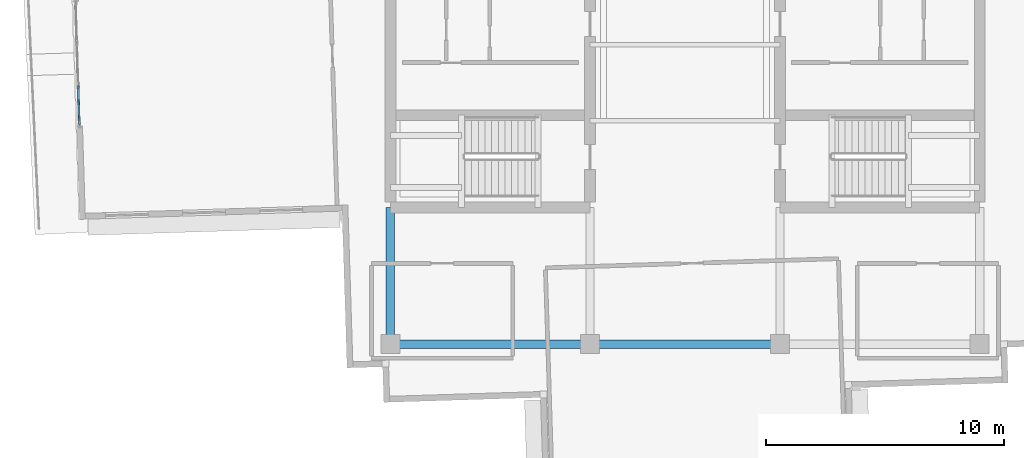
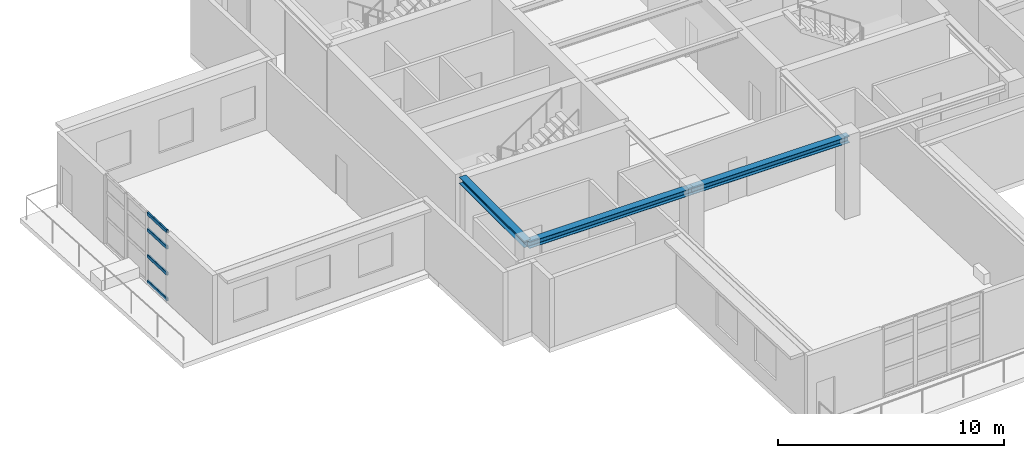
# One storey, part 3 of 18: 4 members, 3 beams, 1 element without a shape of its own.
"""IFC4 building model written with IfcOpenShell, lengths in metres."""

import ifcopenshell
import ifcopenshell.guid

model = None  # the IFC model being written
_history = None  # IfcOwnerHistory: only IFC2X3 demands one
_inside = {}  # id of a spatial element -> (the spatial element, [elements in it])
_under = {}  # id of a project, library or spatial element -> (it, [spatial elements below it])
_declared = {}  # id of a project -> (the project, [libraries it declares])
_typed = {}  # id of a type object -> (the type object, [elements of that type])
_made_of = {}  # id of a material, layer set ... -> (it, [elements and type objects made of it])


def new_model(schema):
    """Start an empty IFC model of exactly this schema.

    Asked for "IFC4X3", IfcOpenShell would pick the latest addendum, in which some entities
    have other attributes; the version numbers below select the first issue.
    IFC2X3 requires an IfcOwnerHistory on every rooted entity: one is made here for all.
    """
    global model, _history
    if schema == "IFC4X3":
        model = ifcopenshell.file(schema_version=(4, 3, 0, 0))
    else:
        model = ifcopenshell.file(schema=schema)
    _inside.clear()
    _under.clear()
    _declared.clear()
    _typed.clear()
    _made_of.clear()
    _history = None
    if model.schema == "IFC2X3":
        org = make("IfcOrganization", Name="unknown")
        user = make(
            "IfcPersonAndOrganization",
            ThePerson=make("IfcPerson", FamilyName="unknown"),
            TheOrganization=org,
        )
        app = make(
            "IfcApplication",
            ApplicationDeveloper=org,
            Version="unknown",
            ApplicationFullName="unknown",
            ApplicationIdentifier="unknown",
        )
        _history = make(
            "IfcOwnerHistory",
            OwningUser=user,
            OwningApplication=app,
            ChangeAction="ADDED",
            CreationDate=0,
        )
    return model


def make(cls, **values):
    """One entity of the class cls with the attributes given. An attribute that is None is left unset."""
    return model.create_entity(
        cls, **{name: value for name, value in values.items() if value is not None}
    )


def rooted(cls, **values):
    """An entity with a GlobalId (a new one), such as an element, a storey or a relation."""
    return make(cls, GlobalId=ifcopenshell.guid.new(), OwnerHistory=_history, **values)


def si_unit(unit_type, name, prefix=None):
    """IfcSIUnit, for example si_unit("LENGTHUNIT", "METRE", prefix="MILLI")."""
    return make("IfcSIUnit", UnitType=unit_type, Prefix=prefix, Name=name)


def assignment(units):
    """IfcUnitAssignment: the units of a project."""
    return None if units is None else make("IfcUnitAssignment", Units=units)


def point(xyz):
    """IfcCartesianPoint."""
    return None if xyz is None else make("IfcCartesianPoint", Coordinates=xyz)


def direction(xyz):
    """IfcDirection."""
    return None if xyz is None else make("IfcDirection", DirectionRatios=xyz)


def frame(location, z_axis=None, x_axis=None):
    """IfcAxis2Placement3D, a coordinate frame: its origin and axes. An axis left out is left unset."""
    return make(
        "IfcAxis2Placement3D",
        Location=point(location),
        Axis=direction(z_axis),
        RefDirection=direction(x_axis),
    )


def frame_2d(location, x_axis=None):
    """IfcAxis2Placement2D, a coordinate frame in the plane: its origin and x axis."""
    return make(
        "IfcAxis2Placement2D", Location=point(location), RefDirection=direction(x_axis)
    )


def origin():
    """The frame at (0, 0, 0) with its axes left unset."""
    return frame((0.0, 0.0, 0.0))


def origin_2d():
    """The frame at (0, 0) in the plane with its x axis left unset."""
    return frame_2d((0.0, 0.0))


def place(relative_to, where):
    """IfcLocalPlacement: puts the frame where relative to a parent placement (None: the world)."""
    return make(
        "IfcLocalPlacement", PlacementRelTo=relative_to, RelativePlacement=where
    )


def context(
    kind, dimensions, precision=None, world=None, true_north=None, identifier=None
):
    """IfcGeometricRepresentationContext, for example the 3D "Model" context."""
    return make(
        "IfcGeometricRepresentationContext",
        ContextIdentifier=identifier,
        ContextType=kind,
        CoordinateSpaceDimension=dimensions,
        Precision=precision,
        WorldCoordinateSystem=world,
        TrueNorth=true_north,
    )


def subcontext(parent, identifier, kind, view, scale=None):
    """IfcGeometricRepresentationSubContext, for example "Body" below "Model"."""
    return make(
        "IfcGeometricRepresentationSubContext",
        ContextIdentifier=identifier,
        ContextType=kind,
        ParentContext=parent,
        TargetScale=scale,
        TargetView=view,
    )


def project(units=None, contexts=None):
    """IfcProject with its units and contexts."""
    return rooted(
        "IfcProject",
        Name="project",
        RepresentationContexts=contexts,
        UnitsInContext=assignment(units),
    )


def spatial(cls, under=None, at=None, **own):
    """A site, building, storey or space (cls), placed at a placement, below another one or the project."""
    s = rooted(cls, ObjectPlacement=at, **own)
    if under is not None:
        _under.setdefault(under.id(), (under, []))[1].append(s)
    return s


def profile(cls, at=None, kind="AREA", **sizes):
    """A parametric profile (cls). Its sizes go by their IFC names, for example OverallWidth=200.0."""
    return make(cls, ProfileType=kind, Position=at, **sizes)


def hollow_rectangle(**sizes):
    """IfcRectangleHollowProfileDef."""
    return profile("IfcRectangleHollowProfileDef", **sizes)


def i_section(**sizes):
    """IfcIShapeProfileDef."""
    return profile("IfcIShapeProfileDef", **sizes)


def extrude(swept, where, along, depth):
    """IfcExtrudedAreaSolid: the profile swept, set in the frame where, extruded along a direction by depth."""
    return make(
        "IfcExtrudedAreaSolid",
        SweptArea=swept,
        Position=where,
        ExtrudedDirection=direction(along),
        Depth=depth,
    )


def shape(context_of_items, identifier, shape_type, items):
    """IfcShapeRepresentation: the items that make up one representation, for example the "Body"."""
    return make(
        "IfcShapeRepresentation",
        ContextOfItems=context_of_items,
        RepresentationIdentifier=identifier,
        RepresentationType=shape_type,
        Items=items,
    )


def material(Name=None, Category=None):
    """IfcMaterial."""
    return make("IfcMaterial", Name=Name, Category=Category)


def layer(
    of_material, thickness, ventilated=None, Name=None, Category=None, Priority=None
):
    """IfcMaterialLayer: one layer of a wall or slab, of a material (None: an air gap)."""
    return make(
        "IfcMaterialLayer",
        Material=of_material,
        LayerThickness=thickness,
        IsVentilated=ventilated,
        Name=Name,
        Category=Category,
        Priority=Priority,
    )


def layer_set(layers, Name=None):
    """IfcMaterialLayerSet."""
    return make("IfcMaterialLayerSet", MaterialLayers=layers, LayerSetName=Name)


def material_profile(
    of_material, cross_section, Name=None, Category=None, Priority=None
):
    """IfcMaterialProfile: a cross section and its material."""
    return make(
        "IfcMaterialProfile",
        Name=Name,
        Material=of_material,
        Profile=cross_section,
        Priority=Priority,
        Category=Category,
    )


def profile_set(profiles, Name=None, composite=None):
    """IfcMaterialProfileSet."""
    return make(
        "IfcMaterialProfileSet",
        Name=Name,
        MaterialProfiles=profiles,
        CompositeProfile=composite,
    )


def made_of(thing, what):
    """Note that an element or type object is made of a material, layer set ...; save() writes the relation."""
    if what is not None:
        _made_of.setdefault(what.id(), (what, []))[1].append(thing)
    return thing


def type_object(cls, material=None, **own):
    """A type object (cls), such as IfcWallType, which elements share."""
    return made_of(rooted(cls, **own), material)


def element(
    cls,
    number,
    at=None,
    inside=None,
    cuts=None,
    type_object=None,
    material=None,
    context=None,
    identifier="Body",
    shape_type=None,
    held_by="IfcProductDefinitionShape",
    body=None,
    shapes=None,
    **own,
):
    """One element of the class cls, such as IfcWall. Its Tag is "e" and its number.

    at: its placement. inside: the storey or other place that contains it. cuts: it is an
    opening in that element (IfcRelVoidsElement). A single representation is given by context,
    identifier, shape_type and body (its items); several are given by shapes. held_by: the class
    of the entity that holds the representations. save() writes the other relations.
    """
    e = rooted(cls, Tag="e%d" % number, ObjectPlacement=at, **own)
    if body is not None:
        shapes = [shape(context, identifier, shape_type, body)]
    if shapes is not None:
        e.Representation = make(held_by, Representations=shapes)
    if inside is not None:
        _inside.setdefault(inside.id(), (inside, []))[1].append(e)
    if cuts is not None:
        rooted(
            "IfcRelVoidsElement", RelatingBuildingElement=cuts, RelatedOpeningElement=e
        )
    if type_object is not None:
        _typed.setdefault(type_object.id(), (type_object, []))[1].append(e)
    return made_of(e, material)


def aggregate(whole, parts):
    """IfcRelAggregates: a whole, such as a stair, and the parts it consists of."""
    return rooted("IfcRelAggregates", RelatingObject=whole, RelatedObjects=parts)


def save(model, path):
    """Write the relations noted so far, then the file.

    IfcRelAggregates (storeys below a building ...), IfcRelContainedInSpatialStructure (elements
    in a storey), IfcRelDefinesByType, IfcRelAssociatesMaterial and IfcRelDeclares: one each for
    every whole, place, type object, material and project.
    """
    for whole, parts in _under.values():
        aggregate(whole, parts)
    for where, things in _inside.values():
        rooted(
            "IfcRelContainedInSpatialStructure",
            RelatedElements=things,
            RelatingStructure=where,
        )
    for kind, things in _typed.values():
        rooted("IfcRelDefinesByType", RelatedObjects=things, RelatingType=kind)
    for what, things in _made_of.values():
        rooted("IfcRelAssociatesMaterial", RelatedObjects=things, RelatingMaterial=what)
    for by, libraries in _declared.values():
        rooted("IfcRelDeclares", RelatingContext=by, RelatedDefinitions=libraries)
    model.write(path)


model = new_model("IFC4")

# Units and contexts
model_context = context("Model", 3, precision=1e-05, world=origin(), true_north=direction((0.0, 1.0)))
body_context = subcontext(model_context, "Body", "Model", "MODEL_VIEW")
ifc_project = project(units=[si_unit("LENGTHUNIT", "METRE"), si_unit("AREAUNIT", "SQUARE_METRE"), si_unit("VOLUMEUNIT", "CUBIC_METRE"), si_unit("PLANEANGLEUNIT", "RADIAN"), si_unit("MASSUNIT", "GRAM", prefix="KILO")], contexts=[model_context])

# Site, building, storey
site_placement = place(None, origin())
site = spatial("IfcSite", under=ifc_project, at=site_placement, CompositionType="ELEMENT")
building_placement = place(site_placement, origin())
building = spatial("IfcBuilding", under=site, at=building_placement, Name="Qingluan Cross Belvedere", CompositionType="ELEMENT")
storey_placement = place(building_placement, frame((0.0, 0.0, 299.39990234375)))
storey = spatial("IfcBuildingStorey", under=building, at=storey_placement, Name="L74", CompositionType="ELEMENT", Elevation=299.39990234375)

# Curtain wall, members
ifc_material_1 = material(Name="Thermally broken aluminium and Low-E glass", Category="aluminium")
ifc_layer = layer(ifc_material_1, 0.179931640625, Name="ObservationCW_DamperGallery")
ifc_layer_set = layer_set([ifc_layer], Name="Thermally broken aluminium and Low-E glass")
curtain_wall_type = type_object("IfcCurtainWallType", Name="ObservationCW_DamperGallery", PredefinedType="USERDEFINED", material=ifc_layer_set)
curtain_wall_placement = place(storey_placement, origin())
curtain_wall = element("IfcCurtainWall", 1, at=curtain_wall_placement, inside=storey, type_object=curtain_wall_type, Name="ObservationCW_DamperGallery run env:cw:L74:W", ObjectType="OBSERVATION GLAZING WALL", PredefinedType="USERDEFINED")
ifc_material_2 = material(Name="Aluminium alloy 6063-T6", Category="aluminium")
ifc_material_profile_1 = material_profile(ifc_material_2, hollow_rectangle(XDim=0.0849609375, YDim=0.179931640625, WallThickness=0.00390625, InnerFilletRadius=0.00390625, OuterFilletRadius=0.008056640625, at=origin_2d()), Name="CWT180x85x4")
ifc_profile_set_1 = profile_set([ifc_material_profile_1], Name="Aluminium alloy 6063-T6")
member_type = type_object("IfcMemberType", Name="CWTransom_180", PredefinedType="USERDEFINED", material=ifc_profile_set_1)
member_1_placement = place(storey_placement, frame((-25.5390625, -1.705810546875, 0.030029296875), z_axis=(0.031414323963, -0.999506448328, 0.0), x_axis=(0.999506448328, 0.031414323963, 0.0)))
member_1 = element("IfcMember", 2, at=member_1_placement, type_object=member_type, Name="CW-C1 transom 3.1", ObjectType="TRANSOM", PredefinedType="USERDEFINED", context=body_context, shape_type="SweptSolid", body=[
    extrude(hollow_rectangle(XDim=0.0849609375, YDim=0.179931640625, WallThickness=0.00390625, InnerFilletRadius=0.00390625, OuterFilletRadius=0.008056640625, at=origin_2d()), origin(), (0.0, 0.0, 1.0), 1.6552734375),
])
member_2_placement = place(storey_placement, frame((-25.5390625, -1.705810546875, 1.4169921875), z_axis=(0.031414323963, -0.999506448328, 0.0), x_axis=(0.999506448328, 0.031414323963, 0.0)))
member_2 = element("IfcMember", 3, at=member_2_placement, type_object=member_type, Name="CW-C1 transom 3.2", ObjectType="TRANSOM", PredefinedType="USERDEFINED", context=body_context, shape_type="SweptSolid", body=[
    extrude(hollow_rectangle(XDim=0.0849609375, YDim=0.179931640625, WallThickness=0.00390625, InnerFilletRadius=0.00390625, OuterFilletRadius=0.008056640625, at=origin_2d()), origin(), (0.0, 0.0, 1.0), 1.6552734375),
])
member_3_placement = place(storey_placement, frame((-25.5390625, -1.705810546875, 2.835205078125), z_axis=(0.031414323963, -0.999506448328, 0.0), x_axis=(0.999506448328, 0.031414323963, 0.0)))
member_3 = element("IfcMember", 4, at=member_3_placement, type_object=member_type, Name="CW-C1 transom 3.3", ObjectType="TRANSOM", PredefinedType="USERDEFINED", context=body_context, shape_type="SweptSolid", body=[
    extrude(hollow_rectangle(XDim=0.0849609375, YDim=0.179931640625, WallThickness=0.00390625, InnerFilletRadius=0.00390625, OuterFilletRadius=0.008056640625, at=origin_2d()), origin(), (0.0, 0.0, 1.0), 1.6552734375),
])
member_4_placement = place(storey_placement, frame((-25.5390625, -1.705810546875, 3.7001953125), z_axis=(0.031414323963, -0.999506448328, 0.0), x_axis=(0.999506448328, 0.031414323963, 0.0)))
member_4 = element("IfcMember", 5, at=member_4_placement, type_object=member_type, Name="CW-C1 transom 3.4", ObjectType="TRANSOM", PredefinedType="USERDEFINED", context=body_context, shape_type="SweptSolid", body=[
    extrude(hollow_rectangle(XDim=0.0849609375, YDim=0.179931640625, WallThickness=0.00390625, InnerFilletRadius=0.00390625, OuterFilletRadius=0.008056640625, at=origin_2d()), origin(), (0.0, 0.0, 1.0), 1.6552734375),
])
aggregate(curtain_wall, [member_1, member_2, member_3, member_4])

# Beams
ifc_material_3 = material(Name="Steel Q420GJB", Category="steel")
ifc_material_profile_2 = material_profile(ifc_material_3, i_section(OverallWidth=0.35009765625, OverallDepth=0.35009765625, WebThickness=0.011962890625, FlangeThickness=0.01904296875, FilletRadius=0.02001953125, at=origin_2d()), Name="HW350x350x12x19")
ifc_profile_set_2 = profile_set([ifc_material_profile_2], Name="Steel Q420GJB")
beam_type = type_object("IfcBeamType", Name="Steel_Girder_HW350x350x12x19", PredefinedType="USERDEFINED", material=ifc_profile_set_2)
beam_1_placement = place(storey_placement, frame((-12.39990234375, -12.60009765625, 4.0751953125), z_axis=(1.0, 0.0, 0.0), x_axis=(0.0, 1.0, 0.0)))
element("IfcBeam", 6, at=beam_1_placement, inside=storey, type_object=beam_type, Name="Hub girder L74-HG-S1", ObjectType="GIRDER", PredefinedType="USERDEFINED", context=body_context, shape_type="SweptSolid", body=[
    extrude(i_section(OverallWidth=0.35009765625, OverallDepth=0.35009765625, WebThickness=0.011962890625, FlangeThickness=0.01904296875, FilletRadius=0.02001953125, at=origin_2d()), origin(), (0.0, 0.0, 1.0), 8.39990234375),
])
beam_2_placement = place(storey_placement, frame((-4.0, -12.60009765625, 4.0751953125), z_axis=(1.0, 0.0, 0.0), x_axis=(0.0, 1.0, 0.0)))
element("IfcBeam", 7, at=beam_2_placement, inside=storey, type_object=beam_type, Name="Hub girder L74-HG-S2", ObjectType="GIRDER", PredefinedType="USERDEFINED", context=body_context, shape_type="SweptSolid", body=[
    extrude(i_section(OverallWidth=0.35009765625, OverallDepth=0.35009765625, WebThickness=0.011962890625, FlangeThickness=0.01904296875, FilletRadius=0.02001953125, at=origin_2d()), origin(), (0.0, 0.0, 1.0), 8.0),
])
beam_3_placement = place(storey_placement, frame((-12.39990234375, -12.60009765625, 4.0751953125), z_axis=(0.0, 1.0, 0.0), x_axis=(-1.0, 0.0, 0.0)))
element("IfcBeam", 8, at=beam_3_placement, inside=storey, type_object=beam_type, Name="Hub girder L74-HG-W1", ObjectType="GIRDER", PredefinedType="USERDEFINED", context=body_context, shape_type="SweptSolid", body=[
    extrude(i_section(OverallWidth=0.35009765625, OverallDepth=0.35009765625, WebThickness=0.011962890625, FlangeThickness=0.01904296875, FilletRadius=0.02001953125, at=origin_2d()), origin(), (0.0, 0.0, 1.0), 5.75),
])

save(model, "model.ifc")
